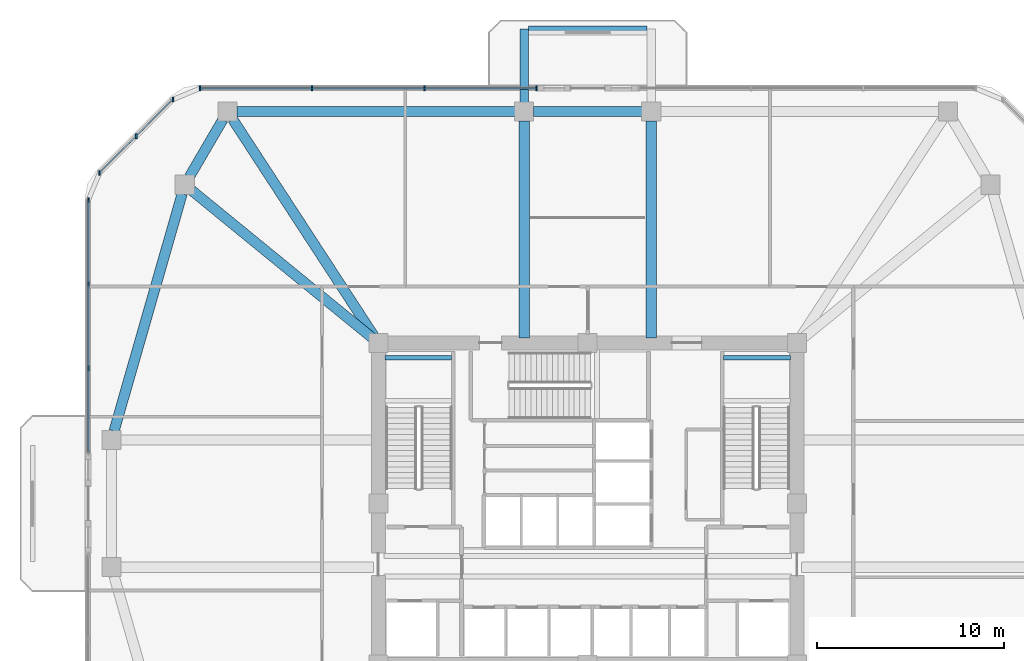
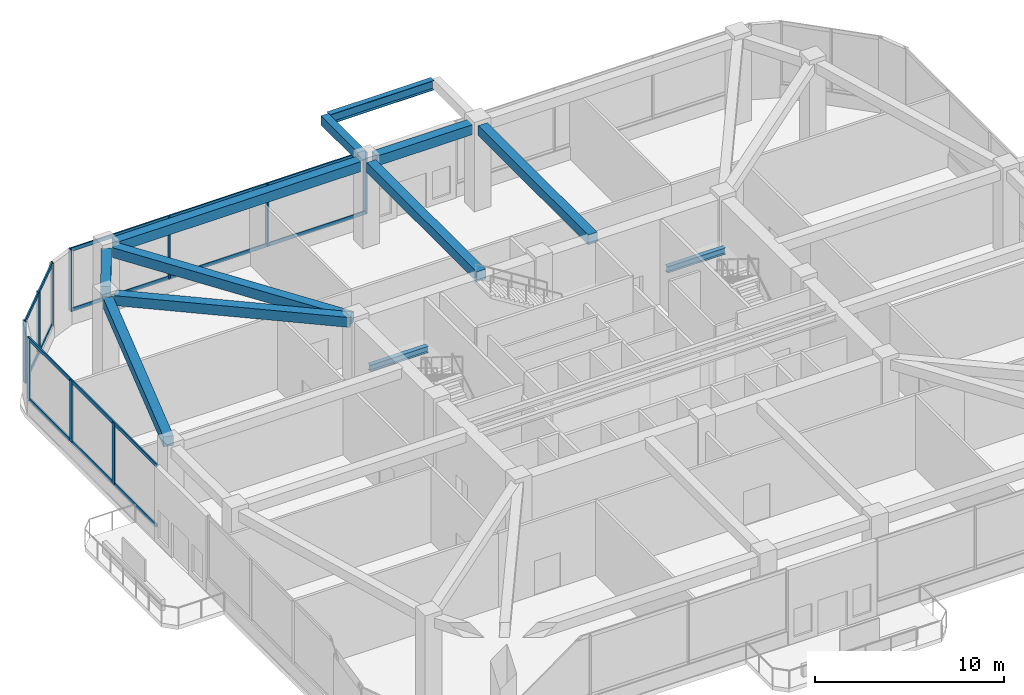
# One storey, part 4 of 13: 16 members, 12 beams, 3 elements without a shape of their own.
"""IFC4 building model written with IfcOpenShell, lengths in metres."""

from ifc_helpers import new_model, si_unit, derived_unit, direction, frame, origin, origin_2d, place, context, subcontext, project, spatial, rectangle, i_section, extrude, material, material_profile, profile_set, type_object, element, aggregate, save


model = new_model("IFC4")

# Units and contexts
model_context = context("Model", 3, precision=1e-05, world=origin(), true_north=direction((0.0, 1.0)))
body_context = subcontext(model_context, "Body", "Model", "MODEL_VIEW")
ifc_project = project(units=[si_unit("LENGTHUNIT", "METRE"), si_unit("AREAUNIT", "SQUARE_METRE"), si_unit("VOLUMEUNIT", "CUBIC_METRE"), si_unit("PLANEANGLEUNIT", "RADIAN"), si_unit("MASSUNIT", "GRAM", prefix="KILO"), derived_unit("THERMALTRANSMITTANCEUNIT", [(si_unit("POWERUNIT", "WATT"), 1), (si_unit("LENGTHUNIT", "METRE"), -2), (si_unit("THERMODYNAMICTEMPERATUREUNIT", "KELVIN"), -1)])], contexts=[model_context])

# Site, building, storey
site_placement = place(None, origin())
site = spatial("IfcSite", under=ifc_project, at=site_placement, CompositionType="ELEMENT")
building_placement = place(site_placement, origin())
building = spatial("IfcBuilding", under=site, at=building_placement, Name="Koralith Skygarden Medical Center", CompositionType="ELEMENT")
storey_placement = place(building_placement, frame((0.0, 0.0, 75.419921875)))
storey = spatial("IfcBuildingStorey", under=building, at=storey_placement, Name="L19", CompositionType="ELEMENT", Elevation=75.419921875)

# Curtain wall, members
ifc_material_1 = material(Name="Clear Laminated Glass", Category="glass")
curtain_wall_type = type_object("IfcCurtainWallType", Name="CW-7 Sky-Garden & Pool Conservatory Wall", PredefinedType="NOTDEFINED", material=ifc_material_1)
curtain_wall_1_placement = place(storey_placement, origin())
curtain_wall_1 = element("IfcCurtainWall", 1, at=curtain_wall_1_placement, inside=storey, type_object=curtain_wall_type, Name="Curtain Wall CW-L19-N-R", PredefinedType="NOTDEFINED")
ifc_material_2 = material(Name="Aluminium 6063-T6", Category="aluminium")
ifc_material_profile_1 = material_profile(ifc_material_2, rectangle(XDim=0.0859375, YDim=0.25, at=origin_2d()), Name="MUL86X250")
ifc_profile_set_1 = profile_set([ifc_material_profile_1], Name="Aluminium 6063-T6")
member_type_1 = type_object("IfcMemberType", Name="CW-7 Extruded Mullion 86x250", PredefinedType="MULLION", material=ifc_profile_set_1)
member_1_placement = place(storey_placement, frame((34.260986328125, 48.1201171875, 0.85009765625), z_axis=(0.0, 0.0, 1.0), x_axis=(1.0, 0.0, 0.0)))
member_1 = element("IfcMember", 2, at=member_1_placement, type_object=member_type_1, Name="CW-L19-N-R Mullion 1", PredefinedType="MULLION", context=body_context, shape_type="SweptSolid", body=[
    extrude(rectangle(XDim=0.0859375, YDim=0.25, at=origin_2d()), origin(), (0.0, 0.0, 1.0), 3.97998046875),
])
member_2_placement = place(storey_placement, frame((28.259033203125, 48.1201171875, 0.85009765625), z_axis=(0.0, 0.0, 1.0), x_axis=(1.0, 0.0, 0.0)))
member_2 = element("IfcMember", 3, at=member_2_placement, type_object=member_type_1, Name="CW-L19-N-R Mullion 2", PredefinedType="MULLION", context=body_context, shape_type="SweptSolid", body=[
    extrude(rectangle(XDim=0.0859375, YDim=0.25, at=origin_2d()), origin(), (0.0, 0.0, 1.0), 3.97998046875),
])
member_3_placement = place(storey_placement, frame((22.257080078125, 48.1201171875, 0.85009765625), z_axis=(0.0, 0.0, 1.0), x_axis=(1.0, 0.0, 0.0)))
member_3 = element("IfcMember", 4, at=member_3_placement, type_object=member_type_1, Name="CW-L19-N-R Mullion 3", PredefinedType="MULLION", context=body_context, shape_type="SweptSolid", body=[
    extrude(rectangle(XDim=0.0859375, YDim=0.25, at=origin_2d()), origin(), (0.0, 0.0, 1.0), 3.97998046875),
])
member_4_placement = place(storey_placement, frame((16.2548828125, 48.1201171875, 0.85009765625), z_axis=(0.0, 0.0, 1.0), x_axis=(1.0, 0.0, 0.0)))
member_4 = element("IfcMember", 5, at=member_4_placement, type_object=member_type_1, Name="CW-L19-N-R Mullion 4", PredefinedType="MULLION", context=body_context, shape_type="SweptSolid", body=[
    extrude(rectangle(XDim=0.0859375, YDim=0.25, at=origin_2d()), origin(), (0.0, 0.0, 1.0), 3.97998046875),
])

curtain_wall_2_placement = place(storey_placement, origin())
curtain_wall_2 = element("IfcCurtainWall", 6, at=curtain_wall_2_placement, inside=storey, type_object=curtain_wall_type, Name="Curtain Wall CW-L19-NW", PredefinedType="NOTDEFINED")
member_5_placement = place(storey_placement, frame((14.803955078125, 47.51904296875, 0.85009765625), z_axis=(0.0, 0.0, 1.0), x_axis=(1.0, 0.0, 0.0)))
member_5 = element("IfcMember", 7, at=member_5_placement, type_object=member_type_1, Name="CW-L19-NW Mullion 1", PredefinedType="MULLION", context=body_context, shape_type="SweptSolid", body=[
    extrude(rectangle(XDim=0.0859375, YDim=0.25, at=origin_2d()), origin(), (0.0, 0.0, 1.0), 3.97998046875),
])
member_6_placement = place(storey_placement, frame((12.843017578125, 45.556884765625, 0.85009765625), z_axis=(0.0, 0.0, 1.0), x_axis=(1.0, 0.0, 0.0)))
member_6 = element("IfcMember", 8, at=member_6_placement, type_object=member_type_1, Name="CW-L19-NW Mullion 2", PredefinedType="MULLION", context=body_context, shape_type="SweptSolid", body=[
    extrude(rectangle(XDim=0.0859375, YDim=0.25, at=origin_2d()), origin(), (0.0, 0.0, 1.0), 3.97998046875),
])
member_7_placement = place(storey_placement, frame((10.881103515625, 43.595947265625, 0.85009765625), z_axis=(0.0, 0.0, 1.0), x_axis=(1.0, 0.0, 0.0)))
member_7 = element("IfcMember", 9, at=member_7_placement, type_object=member_type_1, Name="CW-L19-NW Mullion 3", PredefinedType="MULLION", context=body_context, shape_type="SweptSolid", body=[
    extrude(rectangle(XDim=0.0859375, YDim=0.25, at=origin_2d()), origin(), (0.0, 0.0, 1.0), 3.97998046875),
])

curtain_wall_3_placement = place(storey_placement, origin())
curtain_wall_3 = element("IfcCurtainWall", 10, at=curtain_wall_3_placement, inside=storey, type_object=curtain_wall_type, Name="Curtain Wall CW-L19-W-L", PredefinedType="NOTDEFINED")
member_8_placement = place(storey_placement, frame((10.280029296875, 42.14501953125, 0.85009765625), z_axis=(0.0, 0.0, 1.0), x_axis=(1.0, 0.0, 0.0)))
member_8 = element("IfcMember", 11, at=member_8_placement, type_object=member_type_1, Name="CW-L19-W-L Mullion 1", PredefinedType="MULLION", context=body_context, shape_type="SweptSolid", body=[
    extrude(rectangle(XDim=0.0859375, YDim=0.25, at=origin_2d()), origin(), (0.0, 0.0, 1.0), 3.97998046875),
])
member_9_placement = place(storey_placement, frame((10.280029296875, 37.64404296875, 0.85009765625), z_axis=(0.0, 0.0, 1.0), x_axis=(1.0, 0.0, 0.0)))
member_9 = element("IfcMember", 12, at=member_9_placement, type_object=member_type_1, Name="CW-L19-W-L Mullion 2", PredefinedType="MULLION", context=body_context, shape_type="SweptSolid", body=[
    extrude(rectangle(XDim=0.0859375, YDim=0.25, at=origin_2d()), origin(), (0.0, 0.0, 1.0), 3.97998046875),
])
member_10_placement = place(storey_placement, frame((10.280029296875, 33.14208984375, 0.85009765625), z_axis=(0.0, 0.0, 1.0), x_axis=(1.0, 0.0, 0.0)))
member_10 = element("IfcMember", 13, at=member_10_placement, type_object=member_type_1, Name="CW-L19-W-L Mullion 3", PredefinedType="MULLION", context=body_context, shape_type="SweptSolid", body=[
    extrude(rectangle(XDim=0.0859375, YDim=0.25, at=origin_2d()), origin(), (0.0, 0.0, 1.0), 3.97998046875),
])

# Member
ifc_material_profile_2 = material_profile(ifc_material_2, rectangle(XDim=0.0810546875, YDim=0.22509765625, at=origin_2d()), Name="TRN81X225")
ifc_profile_set_2 = profile_set([ifc_material_profile_2], Name="Aluminium 6063-T6")
member_type_2 = type_object("IfcMemberType", Name="CW-7 Thermal Transom 81x225", PredefinedType="USERDEFINED", material=ifc_profile_set_2)
member_11_placement = place(storey_placement, frame((34.260986328125, 48.1201171875, 0.900146484375), z_axis=(-1.0, 0.0, 0.0), x_axis=(0.0, -1.0, 0.0)))
member_11 = element("IfcMember", 14, at=member_11_placement, type_object=member_type_2, Name="CW-L19-N-R Transom 1", ObjectType="TRANSOM", PredefinedType="USERDEFINED", context=body_context, shape_type="SweptSolid", body=[
    extrude(rectangle(XDim=0.0810546875, YDim=0.22509765625, at=origin_2d()), origin(), (0.0, 0.0, 1.0), 18.006103515625),
])

member_12_placement = place(storey_placement, frame((34.260986328125, 48.1201171875, 4.780029296875), z_axis=(-1.0, 0.0, 0.0), x_axis=(0.0, -1.0, 0.0)))
member_12 = element("IfcMember", 15, at=member_12_placement, type_object=member_type_2, Name="CW-L19-N-R Transom 2", ObjectType="TRANSOM", PredefinedType="USERDEFINED", context=body_context, shape_type="SweptSolid", body=[
    extrude(rectangle(XDim=0.0810546875, YDim=0.22509765625, at=origin_2d()), origin(), (0.0, 0.0, 1.0), 18.006103515625),
])

aggregate(curtain_wall_1, [member_1, member_2, member_3, member_4, member_11, member_12])

member_13_placement = place(storey_placement, frame((14.803955078125, 47.51904296875, 0.900146484375), z_axis=(-0.707084777957, -0.707128783731, 0.0), x_axis=(0.707128783731, -0.707084777957, 0.0)))
member_13 = element("IfcMember", 16, at=member_13_placement, type_object=member_type_2, Name="CW-L19-NW Transom 1", ObjectType="TRANSOM", PredefinedType="USERDEFINED", context=body_context, shape_type="SweptSolid", body=[
    extrude(rectangle(XDim=0.0810546875, YDim=0.22509765625, at=origin_2d()), origin(), (0.0, 0.0, 1.0), 5.5478515625),
])

member_14_placement = place(storey_placement, frame((14.803955078125, 47.51904296875, 4.780029296875), z_axis=(-0.707084777957, -0.707128783731, 0.0), x_axis=(0.707128783731, -0.707084777957, 0.0)))
member_14 = element("IfcMember", 17, at=member_14_placement, type_object=member_type_2, Name="CW-L19-NW Transom 2", ObjectType="TRANSOM", PredefinedType="USERDEFINED", context=body_context, shape_type="SweptSolid", body=[
    extrude(rectangle(XDim=0.0810546875, YDim=0.22509765625, at=origin_2d()), origin(), (0.0, 0.0, 1.0), 5.5478515625),
])

aggregate(curtain_wall_2, [member_5, member_6, member_7, member_13, member_14])

member_15_placement = place(storey_placement, frame((10.280029296875, 42.14501953125, 0.900146484375), z_axis=(0.0, -1.0, 0.0), x_axis=(1.0, 0.0, 0.0)))
member_15 = element("IfcMember", 18, at=member_15_placement, type_object=member_type_2, Name="CW-L19-W-L Transom 1", ObjectType="TRANSOM", PredefinedType="USERDEFINED", context=body_context, shape_type="SweptSolid", body=[
    extrude(rectangle(XDim=0.0810546875, YDim=0.22509765625, at=origin_2d()), origin(), (0.0, 0.0, 1.0), 13.50390625),
])

member_16_placement = place(storey_placement, frame((10.280029296875, 42.14501953125, 4.780029296875), z_axis=(0.0, -1.0, 0.0), x_axis=(1.0, 0.0, 0.0)))
member_16 = element("IfcMember", 19, at=member_16_placement, type_object=member_type_2, Name="CW-L19-W-L Transom 2", ObjectType="TRANSOM", PredefinedType="USERDEFINED", context=body_context, shape_type="SweptSolid", body=[
    extrude(rectangle(XDim=0.0810546875, YDim=0.22509765625, at=origin_2d()), origin(), (0.0, 0.0, 1.0), 13.50390625),
])

aggregate(curtain_wall_3, [member_8, member_9, member_10, member_15, member_16])

# Beams
ifc_material_3 = material(Name="Steel ASTM A992 Grade 50", Category="steel")
ifc_material_profile_3 = material_profile(ifc_material_3, i_section(OverallWidth=0.326904296875, OverallDepth=0.6220703125, WebThickness=0.015380859375, FlangeThickness=0.0244140625, at=origin_2d()), Name="W24X131")
ifc_profile_set_3 = profile_set([ifc_material_profile_3], Name="Steel ASTM A992 Grade 50")
beam_type_1 = type_object("IfcBeamType", Name="Cantilever Tie Beam W24X131", PredefinedType="BEAM", material=ifc_profile_set_3)
beam_1_placement = place(storey_placement, frame((33.820068359375, 51.2900390625, 5.18896484375), z_axis=(1.0, 0.0, 0.0), x_axis=(0.0, 1.0, 0.0)))
element("IfcBeam", 20, at=beam_1_placement, inside=storey, type_object=beam_type_1, Name="L20 N Balcony Tip Tie Beam", PredefinedType="BEAM", context=body_context, shape_type="SweptSolid", body=[
    extrude(i_section(OverallWidth=0.326904296875, OverallDepth=0.6220703125, WebThickness=0.015380859375, FlangeThickness=0.0244140625, at=origin_2d()), origin(), (0.0, 0.0, 1.0), 6.35986328125),
])
ifc_material_profile_4 = material_profile(ifc_material_3, i_section(OverallWidth=0.260009765625, OverallDepth=0.4150390625, WebThickness=0.010009765625, FlangeThickness=0.016845703125, at=origin_2d()), Name="W16X67")
ifc_profile_set_4 = profile_set([ifc_material_profile_4], Name="Steel ASTM A992 Grade 50")
beam_type_2 = type_object("IfcBeamType", Name="Clinical Floor Joist W16X67", PredefinedType="JOIST", material=ifc_profile_set_4)
for number, where, z_axis, x_axis, name in (
    (21, (26.155029296875, 33.699951171875, 2.47216796875), (1.0, 0.0, 0.0), (0.0, 1.0, 0.0), "L19 Stair ST1 Half-Landing Support Beam 1B"),
    (22, (44.280029296875, 33.699951171875, 2.47216796875), (1.0, 0.0, 0.0), (0.0, 1.0, 0.0), "L19 Stair ST2 Half-Landing Support Beam 1B"),
):
    element("IfcBeam", number, at=place(storey_placement, frame(where, z_axis=z_axis, x_axis=x_axis)), inside=storey, type_object=beam_type_2, Name=name, PredefinedType="JOIST", context=body_context, shape_type="SweptSolid", body=[
        extrude(i_section(OverallWidth=0.260009765625, OverallDepth=0.4150390625, WebThickness=0.010009765625, FlangeThickness=0.016845703125, at=origin_2d()), origin(), (0.0, 0.0, 1.0), 3.56494140625),
    ])
ifc_material_4 = material(Name="Concrete C45/55", Category="concrete")
ifc_material_profile_5 = material_profile(ifc_material_4, rectangle(XDim=0.449951171875, YDim=0.60009765625, at=origin_2d()), Name="RCB450X600")
ifc_profile_set_5 = profile_set([ifc_material_profile_5], Name="Concrete C45/55")
beam_type_3 = type_object("IfcBeamType", Name="Planted Balcony Cantilever Beam RCB450X600", PredefinedType="BEAM", material=ifc_profile_set_5)
beam_2_placement = place(storey_placement, frame((33.60009765625, 47.3701171875, 5.2001953125), z_axis=(0.0, 1.0, 0.0), x_axis=(-1.0, 0.0, 0.0)))
element("IfcBeam", 23, at=beam_2_placement, inside=storey, type_object=beam_type_3, Name="L20 N Balcony Cantilever Beam A", PredefinedType="BEAM", context=body_context, shape_type="SweptSolid", body=[
    extrude(rectangle(XDim=0.449951171875, YDim=0.60009765625, at=origin_2d()), origin(), (0.0, 0.0, 1.0), 3.919921875),
])
ifc_material_profile_6 = material_profile(ifc_material_4, rectangle(XDim=0.550048828125, YDim=0.639892578125, at=origin_2d()), Name="RCB550X640")
ifc_profile_set_6 = profile_set([ifc_material_profile_6], Name="Concrete C45/55")
beam_type_4 = type_object("IfcBeamType", Name="Radial Collector Beam RCB550X640", PredefinedType="BEAM", material=ifc_profile_set_6)
for number, where, z_axis, x_axis, name in (
    (24, (40.39990234375, 34.75, 5.16015625), (0.0, 1.0, 0.0), (-1.0, 0.0, 0.0), "L19 Radial Collector Beam RB-12"),
    (25, (33.60009765625, 34.75, 5.16015625), (0.0, 1.0, 0.0), (-1.0, 0.0, 0.0), "L19 Radial Collector Beam RB-13"),
):
    element("IfcBeam", number, at=place(storey_placement, frame(where, z_axis=z_axis, x_axis=x_axis)), inside=storey, type_object=beam_type_4, Name=name, PredefinedType="BEAM", context=body_context, shape_type="SweptSolid", body=[
        extrude(rectangle(XDim=0.550048828125, YDim=0.639892578125, at=origin_2d()), origin(), (0.0, 0.0, 1.0), 11.6298828125),
    ])
beam_3_placement = place(storey_placement, frame((25.6640625, 34.708984375, 5.16015625), z_axis=(-0.546010797592, 0.83777813824, 0.0), x_axis=(-0.83777813824, -0.546010797592, 0.0)))
element("IfcBeam", 26, at=beam_3_placement, inside=storey, type_object=beam_type_4, Name="L19 Radial Collector Beam RB-14", PredefinedType="BEAM", context=body_context, shape_type="SweptSolid", body=[
    extrude(rectangle(XDim=0.550048828125, YDim=0.639892578125, at=origin_2d()), origin(), (0.0, 0.0, 1.0), 14.027587890625),
])
beam_4_placement = place(storey_placement, frame((25.60595703125, 34.657958984375, 5.16015625), z_axis=(-0.774537653753, 0.632527804067, 0.0), x_axis=(-0.632527804067, -0.774537653753, 0.0)))
element("IfcBeam", 27, at=beam_4_placement, inside=storey, type_object=beam_type_4, Name="L19 Radial Collector Beam RB-15", PredefinedType="BEAM", context=body_context, shape_type="SweptSolid", body=[
    extrude(rectangle(XDim=0.550048828125, YDim=0.639892578125, at=origin_2d()), origin(), (0.0, 0.0, 1.0), 12.625732421875),
])
ifc_material_profile_7 = material_profile(ifc_material_4, rectangle(XDim=0.550048828125, YDim=0.639892578125, at=origin_2d()), Name="RCB550X640")
ifc_profile_set_7 = profile_set([ifc_material_profile_7], Name="Concrete C45/55")
beam_type_5 = type_object("IfcBeamType", Name="Zone 2-3 Spandrel Beam RCB550X640", PredefinedType="SPANDREL", material=ifc_profile_set_7)
beam_5_placement = place(storey_placement, frame((39.89990234375, 46.8798828125, 5.16015625), z_axis=(-1.0, 0.0, 0.0), x_axis=(0.0, -1.0, 0.0)))
element("IfcBeam", 28, at=beam_5_placement, inside=storey, type_object=beam_type_5, Name="L19 Perimeter Spandrel Beam SP-12", PredefinedType="SPANDREL", context=body_context, shape_type="SweptSolid", body=[
    extrude(rectangle(XDim=0.550048828125, YDim=0.639892578125, at=origin_2d()), origin(), (0.0, 0.0, 1.0), 5.7998046875),
])
beam_6_placement = place(storey_placement, frame((33.10009765625, 46.8798828125, 5.16015625), z_axis=(-1.0, 0.0, 0.0), x_axis=(0.0, -1.0, 0.0)))
element("IfcBeam", 29, at=beam_6_placement, inside=storey, type_object=beam_type_5, Name="L19 Perimeter Spandrel Beam SP-13", PredefinedType="SPANDREL", context=body_context, shape_type="SweptSolid", body=[
    extrude(rectangle(XDim=0.550048828125, YDim=0.639892578125, at=origin_2d()), origin(), (0.0, 0.0, 1.0), 14.8681640625),
])
beam_7_placement = place(storey_placement, frame((17.47998046875, 46.447998046875, 5.16015625), z_axis=(-0.50502386975, -0.863105376523, 0.0), x_axis=(0.863105376523, -0.50502386975, 0.0)))
element("IfcBeam", 30, at=beam_7_placement, inside=storey, type_object=beam_type_5, Name="L19 Perimeter Spandrel Beam SP-14", PredefinedType="SPANDREL", context=body_context, shape_type="SweptSolid", body=[
    extrude(rectangle(XDim=0.550048828125, YDim=0.639892578125, at=origin_2d()), origin(), (0.0, 0.0, 1.0), 3.54052734375),
])
beam_8_placement = place(storey_placement, frame((15.302001953125, 42.47900390625, 5.16015625), z_axis=(-0.275843733572, -0.961202494092, 0.0), x_axis=(0.961202494092, -0.275843733572, 0.0)))
element("IfcBeam", 31, at=beam_8_placement, inside=storey, type_object=beam_type_5, Name="L19 Perimeter Spandrel Beam SP-15", PredefinedType="SPANDREL", context=body_context, shape_type="SweptSolid", body=[
    extrude(rectangle(XDim=0.550048828125, YDim=0.639892578125, at=origin_2d()), origin(), (0.0, 0.0, 1.0), 13.21044921875),
])

save(model, "model.ifc")
